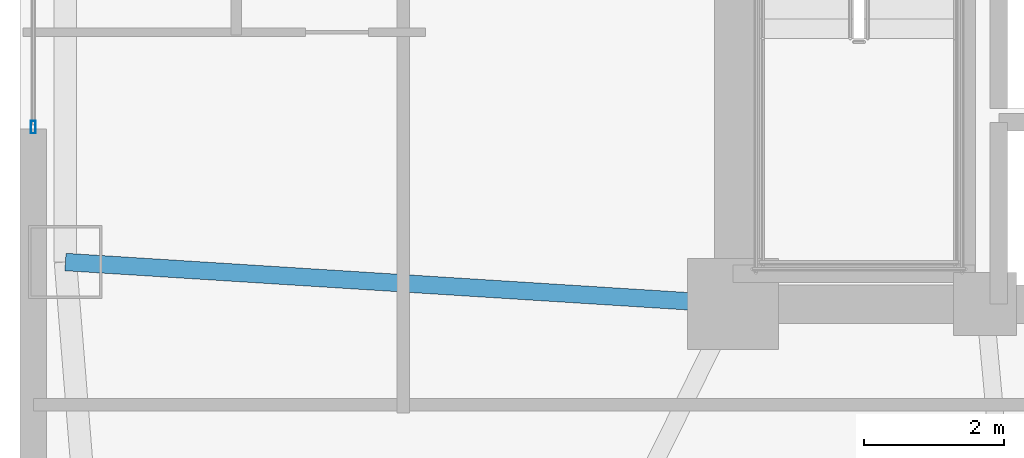
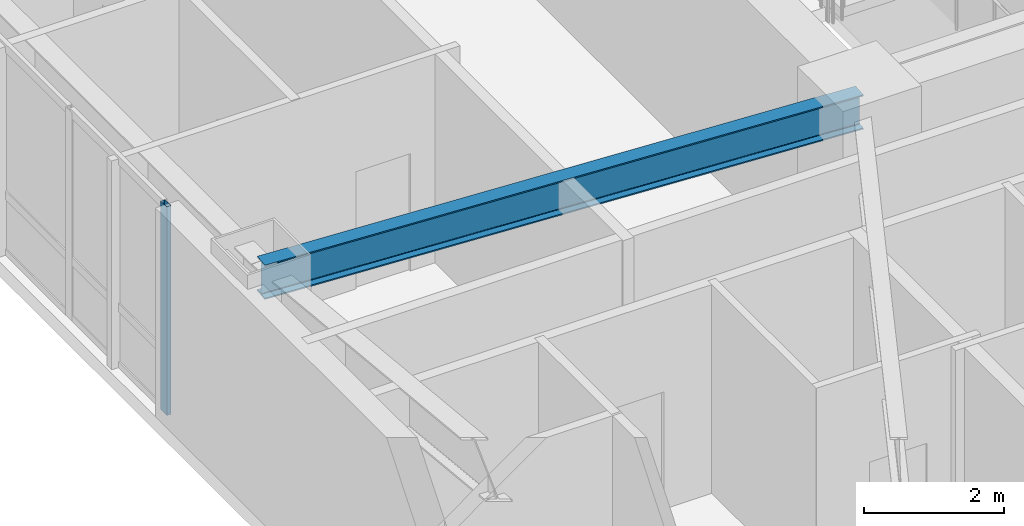
# One storey, part 2 of 28: 1 beam, 1 member, 1 element without a shape of its own.
"""IFC4 building model written with IfcOpenShell, lengths in metres."""

from ifc_helpers import new_model, si_unit, direction, frame, origin, origin_2d, place, context, subcontext, project, spatial, hollow_rectangle, i_section, extrude, material, layer, layer_set, material_profile, profile_set, type_object, element, aggregate, save


model = new_model("IFC4")

# Units and contexts
model_context = context("Model", 3, precision=1e-05, world=origin(), true_north=direction((0.0, 1.0)))
body_context = subcontext(model_context, "Body", "Model", "MODEL_VIEW")
ifc_project = project(units=[si_unit("LENGTHUNIT", "METRE"), si_unit("AREAUNIT", "SQUARE_METRE"), si_unit("VOLUMEUNIT", "CUBIC_METRE"), si_unit("PLANEANGLEUNIT", "RADIAN"), si_unit("MASSUNIT", "GRAM", prefix="KILO")], contexts=[model_context])

# Site, building, storey
site_placement = place(None, origin())
site = spatial("IfcSite", under=ifc_project, at=site_placement, CompositionType="ELEMENT")
building_placement = place(site_placement, origin())
building = spatial("IfcBuilding", under=site, at=building_placement, Name="Voryun Gate Residences", CompositionType="ELEMENT")
storey_placement = place(building_placement, frame((0.0, 0.0, 117.0)))
storey = spatial("IfcBuildingStorey", under=building, at=storey_placement, Name="L28", CompositionType="ELEMENT", Elevation=117.0)

# Beam
ifc_material_1 = material(Name="Steel SM355", Category="steel")
ifc_material_profile_1 = material_profile(ifc_material_1, i_section(OverallWidth=0.25, OverallDepth=0.60009765625, WebThickness=0.011962890625, FlangeThickness=0.02197265625, FilletRadius=0.01806640625, at=origin_2d()), Name="H-600x250x12x22")
ifc_profile_set_1 = profile_set([ifc_material_profile_1], Name="Steel SM355")
beam_type = type_object("IfcBeamType", Name="BM_GIRD_600", PredefinedType="USERDEFINED", material=ifc_profile_set_1)
beam_placement = place(storey_placement, frame((-19.199951171875, -7.39990234375, 3.35009765625), z_axis=(-0.998020380726, 0.062891332119, 0.0), x_axis=(-0.062891332119, -0.998020380726, 0.0)))
element("IfcBeam", 1, at=beam_placement, inside=storey, type_object=beam_type, Name="BM-L28-RAD-W2", ObjectType="GIRDER", PredefinedType="USERDEFINED", context=body_context, shape_type="SweptSolid", body=[
    extrude(i_section(OverallWidth=0.25, OverallDepth=0.60009765625, WebThickness=0.011962890625, FlangeThickness=0.02197265625, FilletRadius=0.01806640625, at=origin_2d()), origin(), (0.0, 0.0, 1.0), 9.569091796875),
])

# Curtain wall, member
ifc_material_2 = material(Name="Anodised aluminium", Category="aluminium")
ifc_layer = layer(ifc_material_2, 0.179931640625, Name="CW_SYS_RES_A_DARK_GLASS")
ifc_layer_set = layer_set([ifc_layer], Name="Anodised aluminium")
curtain_wall_type = type_object("IfcCurtainWallType", Name="CW_SYS_RES_A_DARK_GLASS", PredefinedType="NOTDEFINED", material=ifc_layer_set)
curtain_wall_placement = place(storey_placement, origin())
curtain_wall = element("IfcCurtainWall", 2, at=curtain_wall_placement, inside=storey, type_object=curtain_wall_type, Name="Curtain wall CWT-L28-06", PredefinedType="NOTDEFINED")
ifc_material_3 = material(Name="Anodised aluminium", Category="aluminium")
ifc_material_profile_2 = material_profile(ifc_material_3, hollow_rectangle(XDim=0.070068359375, YDim=0.179931640625, WallThickness=0.00390625, at=origin_2d()), Name="ALU-MULL-180x70x4")
ifc_profile_set_2 = profile_set([ifc_material_profile_2], Name="Anodised aluminium")
member_type = type_object("IfcMemberType", Name="CW_MULL_RES", PredefinedType="MULLION", material=ifc_profile_set_2)
member_placement = place(storey_placement, frame((-29.2099609375, -4.867919921875, 0.0), z_axis=(0.0, 0.0, 1.0), x_axis=(-1.0, 0.0, 0.0)))
member = element("IfcMember", 3, at=member_placement, type_object=member_type, Name="CW3 mullion 1", PredefinedType="MULLION", context=body_context, shape_type="SweptSolid", body=[
    extrude(hollow_rectangle(XDim=0.070068359375, YDim=0.179931640625, WallThickness=0.00390625, at=origin_2d()), origin(), (0.0, 0.0, 1.0), 3.64990234375),
])
aggregate(curtain_wall, [member])

save(model, "model.ifc")
